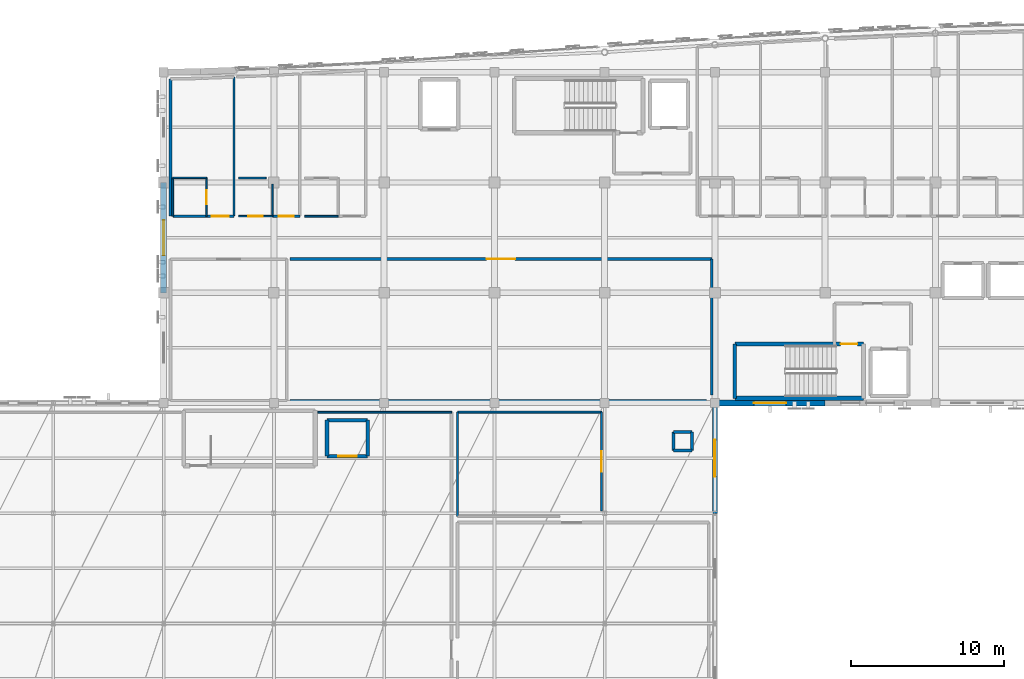
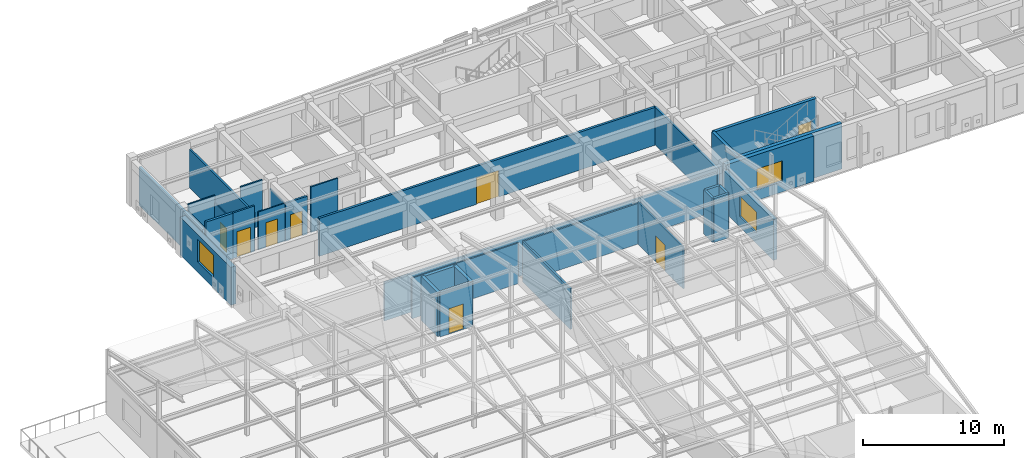
# One storey, part 90 of 113: 33 walls, 8 doors, 3 windows, 11 openings.
"""IFC4 building model written with IfcOpenShell, lengths in metres."""

from ifc_helpers import new_model, si_unit, direction, frame, frame_2d, origin, place, context, subcontext, project, spatial, rectangle, extrude, material, layer, layer_set, type_object, element, fill, save


model = new_model("IFC4")

# Units and contexts
model_context = context("Model", 3, precision=1e-05, world=origin(), true_north=direction((0.0, 1.0)))
body_context = subcontext(model_context, "Body", "Model", "MODEL_VIEW")
ifc_project = project(units=[si_unit("LENGTHUNIT", "METRE"), si_unit("AREAUNIT", "SQUARE_METRE"), si_unit("VOLUMEUNIT", "CUBIC_METRE"), si_unit("PLANEANGLEUNIT", "RADIAN"), si_unit("MASSUNIT", "GRAM", prefix="KILO")], contexts=[model_context])

# Site, building, storey
site_placement = place(None, origin())
site = spatial("IfcSite", under=ifc_project, at=site_placement, CompositionType="ELEMENT")
building_placement = place(site_placement, origin())
building = spatial("IfcBuilding", under=site, at=building_placement, Name="Carrowvane Square Congress Hotel", CompositionType="ELEMENT")
storey_placement = place(building_placement, frame((0.0, 0.0, 15.0)))
storey = spatial("IfcBuildingStorey", under=building, at=storey_placement, Name="L03", CompositionType="ELEMENT", Elevation=15.0)

# Wall, opening, window
ifc_material_1 = material(Name="Glazed terracotta rainscreen", Category="masonry")
ifc_layer_1 = layer(ifc_material_1, 0.39990234375)
ifc_layer_set_1 = layer_set([ifc_layer_1], Name="Glazed terracotta rainscreen")
wall_type_1 = type_object("IfcWallType", Name="WL-EXT-TC400", PredefinedType="STANDARD", material=ifc_layer_set_1)
wall_1_placement = place(storey_placement, frame((33.199951171875, 99.0, 0.0), z_axis=(0.0, 0.0, 1.0), x_axis=(0.0, 1.0, 0.0)))
wall_1 = element("IfcWall", 1, at=wall_1_placement, inside=storey, type_object=wall_type_1, Name="L03 exterior facade wall 352", PredefinedType="STANDARD", context=body_context, shape_type="SweptSolid", body=[
    extrude(rectangle(XDim=7.199951171875, YDim=0.39990234375, at=frame_2d((3.60009765625, 0.0))), origin(), (0.0, 0.0, 1.0), 3.27490234375),
])
opening_1_placement = place(wall_1_placement, frame((2.449951171875, 0.0, 0.89990234375)))
opening_1 = element("IfcOpeningElement", 2, at=opening_1_placement, cuts=wall_1, Name="Opening W-32", PredefinedType="OPENING", context=body_context, shape_type="SweptSolid", body=[
    extrude(rectangle(XDim=2.300048828125, YDim=1.949951171875, at=frame_2d((1.14990234375, 0.97509765625))), frame((0.0, 0.2099609375, 0.0), z_axis=(0.0, -1.0, 0.0), x_axis=(1.0, 0.0, 0.0)), (0.0, 0.0, 1.0), 0.419921875),
])
ifc_material_2 = material(Name="Double-glazed low-E glass", Category="glass")
window_type_1 = type_object("IfcWindowType", Name="WIN-32", PartitioningType="SINGLE_PANEL", PredefinedType="WINDOW", material=ifc_material_2)
window_1_placement = place(opening_1_placement, origin())
window_1 = element("IfcWindow", 3, at=window_1_placement, inside=storey, type_object=window_type_1, Name="L03 facade window 175", OverallHeight=1.949951171875, OverallWidth=2.300048828125, PartitioningType="SINGLE_PANEL", PredefinedType="WINDOW", context=body_context, shape_type="SweptSolid", body=[
    extrude(rectangle(XDim=2.300048828125, YDim=1.949951171875, at=frame_2d((1.14990234375, 0.97509765625))), frame((0.0, 0.030029296875, 0.0), z_axis=(0.0, -1.0, 0.0), x_axis=(1.0, 0.0, 0.0)), (0.0, 0.0, 1.0), 0.06005859375),
])
fill(opening_1, window_1)

wall_2_placement = place(storey_placement, frame((76.39990234375, 91.800048828125, 0.0), z_axis=(0.0, 0.0, 1.0), x_axis=(-1.0, 0.0, 0.0)))
wall_2 = element("IfcWall", 4, at=wall_2_placement, inside=storey, type_object=wall_type_1, Name="L03 exterior facade wall 398", PredefinedType="STANDARD", context=body_context, shape_type="SweptSolid", body=[
    extrude(rectangle(XDim=7.199951171875, YDim=0.39990234375, at=frame_2d((3.60009765625, 0.0))), origin(), (0.0, 0.0, 1.0), 3.93994140625),
])
opening_2_placement = place(wall_2_placement, frame((2.550048828125, 0.0, 0.89990234375)))
opening_2 = element("IfcOpeningElement", 5, at=opening_2_placement, cuts=wall_2, Name="Opening W-06", PredefinedType="OPENING", context=body_context, shape_type="SweptSolid", body=[
    extrude(rectangle(XDim=2.10009765625, YDim=1.800048828125, at=frame_2d((1.050048828125, 0.89990234375))), frame((0.0, 0.2099609375, 0.0), z_axis=(0.0, -1.0, 0.0), x_axis=(1.0, 0.0, 0.0)), (0.0, 0.0, 1.0), 0.419921875),
])
ifc_material_3 = material(Name="Double-glazed low-E glass", Category="glass")
window_type_2 = type_object("IfcWindowType", Name="WIN-06", PartitioningType="SINGLE_PANEL", PredefinedType="WINDOW", material=ifc_material_3)
window_2_placement = place(opening_2_placement, origin())
window_2 = element("IfcWindow", 6, at=window_2_placement, inside=storey, type_object=window_type_2, Name="L03 facade window 229", OverallHeight=1.800048828125, OverallWidth=2.10009765625, PartitioningType="SINGLE_PANEL", PredefinedType="WINDOW", context=body_context, shape_type="SweptSolid", body=[
    extrude(rectangle(XDim=2.10009765625, YDim=1.800048828125, at=frame_2d((1.050048828125, 0.89990234375))), frame((0.0, 0.030029296875, 0.0), z_axis=(0.0, -1.0, 0.0), x_axis=(1.0, 0.0, 0.0)), (0.0, 0.0, 1.0), 0.06005859375),
])
fill(opening_2, window_2)

ifc_material_4 = material(Name="Standing-seam zinc cladding", Category="metal")
ifc_layer_2 = layer(ifc_material_4, 0.31005859375)
ifc_layer_set_2 = layer_set([ifc_layer_2], Name="Standing-seam zinc cladding")
wall_type_2 = type_object("IfcWallType", Name="WL-EXT-ZN310", PredefinedType="STANDARD", material=ifc_layer_set_2)
wall_3_placement = place(storey_placement, frame((69.199951171875, 91.800048828125, 0.0), z_axis=(0.0, 0.0, 1.0), x_axis=(0.0, -1.0, 0.0)))
wall_3 = element("IfcWall", 7, at=wall_3_placement, inside=storey, type_object=wall_type_2, Name="L03 exterior facade wall 399", PredefinedType="STANDARD", context=body_context, shape_type="SweptSolid", body=[
    extrude(rectangle(XDim=7.199951171875, YDim=0.31005859375, at=frame_2d((3.60009765625, 0.0))), origin(), (0.0, 0.0, 1.0), 3.515625),
])
opening_3_placement = place(wall_3_placement, frame((2.39990234375, 0.0, 0.89990234375)))
opening_3 = element("IfcOpeningElement", 8, at=opening_3_placement, cuts=wall_3, Name="Opening W-07", PredefinedType="OPENING", context=body_context, shape_type="SweptSolid", body=[
    extrude(rectangle(XDim=2.39990234375, YDim=1.800048828125, at=frame_2d((1.199951171875, 0.89990234375))), frame((0.0, 0.1650390625, 0.0), z_axis=(0.0, -1.0, 0.0), x_axis=(1.0, 0.0, 0.0)), (0.0, 0.0, 1.0), 0.330078125),
])
ifc_material_5 = material(Name="Double-glazed low-E glass", Category="glass")
window_type_3 = type_object("IfcWindowType", Name="WIN-07", PartitioningType="SINGLE_PANEL", PredefinedType="WINDOW", material=ifc_material_5)
window_3_placement = place(opening_3_placement, origin())
window_3 = element("IfcWindow", 9, at=window_3_placement, inside=storey, type_object=window_type_3, Name="L03 facade window 231", OverallHeight=1.800048828125, OverallWidth=2.39990234375, PartitioningType="SINGLE_PANEL", PredefinedType="WINDOW", context=body_context, shape_type="SweptSolid", body=[
    extrude(rectangle(XDim=2.39990234375, YDim=1.800048828125, at=frame_2d((1.199951171875, 0.89990234375))), frame((0.0, 0.030029296875, 0.0), z_axis=(0.0, -1.0, 0.0), x_axis=(1.0, 0.0, 0.0)), (0.0, 0.0, 1.0), 0.06005859375),
])
fill(opening_3, window_3)

# Walls
ifc_material_6 = material(Name="Acoustic gypsum board", Category="gypsum")
ifc_layer_3 = layer(ifc_material_6, 0.155029296875)
ifc_layer_set_3 = layer_set([ifc_layer_3], Name="Acoustic gypsum board")
wall_type_3 = type_object("IfcWallType", Name="WL-FIR-155", PredefinedType="PARTITIONING", material=ifc_layer_set_3)
wall_4_placement = place(storey_placement, frame((68.639892578125, 91.9599609375, 0.0), z_axis=(0.0, 0.0, 1.0), x_axis=(-1.0, 0.0, 0.0)))
element("IfcWall", 10, at=wall_4_placement, inside=storey, type_object=wall_type_3, Name="L03 L03 West Delegate Linen and Service Room partition", PredefinedType="PARTITIONING", context=body_context, shape_type="SweptSolid", body=[
    extrude(rectangle(XDim=27.18994140625, YDim=0.155029296875, at=frame_2d((13.594970703125, 0.0))), origin(), (0.0, 0.0, 1.0), 3.324951171875),
])
ifc_material_7 = material(Name="Acoustic gypsum board", Category="gypsum")
ifc_layer_4 = layer(ifc_material_7, 0.169921875)
ifc_layer_set_4 = layer_set([ifc_layer_4], Name="Acoustic gypsum board")
wall_type_4 = type_object("IfcWallType", Name="WL-FIR-170", PredefinedType="PARTITIONING", material=ifc_layer_set_4)
wall_5_placement = place(storey_placement, frame((69.0, 101.199951171875, 0.0), z_axis=(0.0, 0.0, 1.0), x_axis=(0.0, -1.0, 0.0)))
element("IfcWall", 11, at=wall_5_placement, inside=storey, type_object=wall_type_4, Name="L03 L03 West Delegate Linen and Service Room partition", PredefinedType="PARTITIONING", context=body_context, shape_type="SweptSolid", body=[
    extrude(rectangle(XDim=8.8798828125, YDim=0.169921875, at=frame_2d((4.43994140625, 0.0))), origin(), (0.0, 0.0, 1.0), 3.27490234375),
])

# Wall, opening, door
wall_6_placement = place(storey_placement, frame((42.090087890625, 104.0, 0.0), z_axis=(0.0, 0.0, 1.0), x_axis=(-1.0, 0.0, 0.0)))
wall_6 = element("IfcWall", 12, at=wall_6_placement, inside=storey, type_object=wall_type_4, Name="L03 Parkview Guest Bedroom 0303 partition", PredefinedType="PARTITIONING", context=body_context, shape_type="SweptSolid", body=[
    extrude(rectangle(XDim=1.780029296875, YDim=0.169921875, at=frame_2d((0.89013671875, 0.0))), origin(), (0.0, 0.0, 1.0), 3.27490234375),
])
opening_4_placement = place(wall_6_placement, frame((0.39990234375, 0.0, 0.0)))
opening_4 = element("IfcOpeningElement", 13, at=opening_4_placement, cuts=wall_6, Name="Opening FD-07", PredefinedType="OPENING", context=body_context, shape_type="SweptSolid", body=[
    extrude(rectangle(XDim=0.97998046875, YDim=2.14990234375, at=frame_2d((0.489990234375, 1.074951171875))), frame((0.0, 0.094970703125, 0.0), z_axis=(0.0, -1.0, 0.0), x_axis=(1.0, 0.0, 0.0)), (0.0, 0.0, 1.0), 0.18994140625),
])
ifc_material_8 = material(Name="European oak timber", Category="wood")
door_type_1 = type_object("IfcDoorType", Name="DR-FD30-0980x2150", OperationType="NOTDEFINED", PredefinedType="DOOR", material=ifc_material_8)
door_1_placement = place(opening_4_placement, origin())
door_1 = element("IfcDoor", 14, at=door_1_placement, inside=storey, type_object=door_type_1, Name="L03 Parkview Guest Bedroom 0303 entrance door", OperationType="SINGLE_SWING_RIGHT", OverallHeight=2.14990234375, OverallWidth=0.97998046875, PredefinedType="DOOR", context=body_context, shape_type="SweptSolid", body=[
    extrude(rectangle(XDim=0.97998046875, YDim=2.14990234375, at=frame_2d((0.489990234375, 1.074951171875))), frame((0.0, 0.02490234375, 0.0), z_axis=(0.0, -1.0, 0.0), x_axis=(1.0, 0.0, 0.0)), (0.0, 0.0, 1.0), 0.050048828125),
])
fill(opening_4, door_1)

ifc_material_9 = material(Name="Acoustic gypsum board", Category="gypsum")
ifc_layer_5 = layer(ifc_material_9, 0.18505859375)
ifc_layer_set_5 = layer_set([ifc_layer_5], Name="Acoustic gypsum board")
wall_type_5 = type_object("IfcWallType", Name="WL-FIR-185", PredefinedType="PARTITIONING", material=ifc_layer_set_5)
wall_7_placement = place(storey_placement, frame((41.449951171875, 101.199951171875, 0.0), z_axis=(0.0, 0.0, 1.0), x_axis=(1.0, 0.0, 0.0)))
wall_7 = element("IfcWall", 15, at=wall_7_placement, inside=storey, type_object=wall_type_5, Name="L03 L03 West Delegate Linen and Service Room partition", PredefinedType="PARTITIONING", context=body_context, shape_type="SweptSolid", body=[
    extrude(rectangle(XDim=27.550048828125, YDim=0.18505859375, at=frame_2d((13.77490234375, 0.0))), origin(), (0.0, 0.0, 1.0), 3.27490234375),
])
opening_5_placement = place(wall_7_placement, frame((12.85009765625, 0.0, 0.0)))
opening_5 = element("IfcOpeningElement", 16, at=opening_5_placement, cuts=wall_7, Name="Opening ID-13", PredefinedType="OPENING", context=body_context, shape_type="SweptSolid", body=[
    extrude(rectangle(XDim=1.85009765625, YDim=2.300048828125, at=frame_2d((0.925048828125, 1.14990234375))), frame((0.0, 0.1025390625, 0.0), z_axis=(0.0, -1.0, 0.0), x_axis=(1.0, 0.0, 0.0)), (0.0, 0.0, 1.0), 0.205078125),
])
ifc_material_10 = material(Name="European oak timber", Category="wood")
door_type_2 = type_object("IfcDoorType", Name="DR-INT-1850x2300", OperationType="DOUBLE_DOOR_SINGLE_SWING", PredefinedType="DOOR", material=ifc_material_10)
door_2_placement = place(opening_5_placement, origin())
door_2 = element("IfcDoor", 17, at=door_2_placement, inside=storey, type_object=door_type_2, Name="L03 L03 West Delegate Linen and Service Room entrance door", OperationType="DOUBLE_DOOR_SINGLE_SWING", OverallHeight=2.300048828125, OverallWidth=1.85009765625, PredefinedType="DOOR", context=body_context, shape_type="SweptSolid", body=[
    extrude(rectangle(XDim=1.85009765625, YDim=2.300048828125, at=frame_2d((0.925048828125, 1.14990234375))), frame((0.0, 0.02490234375, 0.0), z_axis=(0.0, -1.0, 0.0), x_axis=(1.0, 0.0, 0.0)), (0.0, 0.0, 1.0), 0.050048828125),
])
fill(opening_5, door_2)

# Walls
wall_8_placement = place(storey_placement, frame((36.0, 104.0, 0.0), z_axis=(0.0, 0.0, 1.0), x_axis=(-1.0, 0.0, 0.0)))
element("IfcWall", 18, at=wall_8_placement, inside=storey, type_object=wall_type_5, Name="L03 En-suite Bathroom 0302 partition", PredefinedType="PARTITIONING", context=body_context, shape_type="SweptSolid", body=[
    extrude(rectangle(XDim=2.199951171875, YDim=0.18505859375, at=frame_2d((1.10009765625, 0.0))), origin(), (0.0, 0.0, 1.0), 3.93994140625),
])
wall_9_placement = place(storey_placement, frame((33.64990234375, 104.0, 0.0), z_axis=(0.0, 0.0, 1.0), x_axis=(0.0, 1.0, 0.0)))
element("IfcWall", 19, at=wall_9_placement, inside=storey, type_object=wall_type_5, Name="L03 Parkview Guest Bedroom 0302 partition", PredefinedType="PARTITIONING", context=body_context, shape_type="SweptSolid", body=[
    extrude(rectangle(XDim=8.959716796875, YDim=0.18505859375, at=frame_2d((4.47998046875, 0.0))), origin(), (0.0, 0.0, 1.0), 3.324951171875),
])
ifc_material_11 = material(Name="Standing-seam zinc cladding", Category="metal")
ifc_layer_6 = layer(ifc_material_11, 0.195068359375)
ifc_layer_set_6 = layer_set([ifc_layer_6], Name="Standing-seam zinc cladding")
wall_type_6 = type_object("IfcWallType", Name="WL-PAR-195", PredefinedType="PARAPET", material=ifc_layer_set_6)
for number, where, z_axis, x_axis, name in (
    (20, (66.5, 88.699951171875, 0.0), (0.0, 0.0, 1.0), (1.0, 0.0, 0.0), "L03 service riser RSR-V4 enclosure S"),
    (21, (67.699951171875, 88.699951171875, 0.0), (0.0, 0.0, 1.0), (0.0, 1.0, 0.0), "L03 service riser RSR-V4 enclosure E"),
    (22, (67.699951171875, 89.89990234375, 0.0), (0.0, 0.0, 1.0), (-1.0, 0.0, 0.0), "L03 service riser RSR-V4 enclosure N"),
    (23, (66.5, 89.89990234375, 0.0), (0.0, 0.0, 1.0), (0.0, -1.0, 0.0), "L03 service riser RSR-V4 enclosure W"),
):
    element("IfcWall", number, at=place(storey_placement, frame(where, z_axis=z_axis, x_axis=x_axis)), inside=storey, type_object=wall_type_6, Name=name, PredefinedType="PARAPET", context=body_context, shape_type="SweptSolid", body=[
        extrude(rectangle(XDim=1.199951171875, YDim=0.195068359375, at=frame_2d((0.60009765625, 0.0))), origin(), (0.0, 0.0, 1.0), 3.800048828125),
    ])

# Wall, opening, door
ifc_material_12 = material(Name="Acoustic gypsum board", Category="gypsum")
ifc_layer_7 = layer(ifc_material_12, 0.097900390625)
ifc_layer_set_7 = layer_set([ifc_layer_7], Name="Acoustic gypsum board")
wall_type_7 = type_object("IfcWallType", Name="WL-PRT-098", PredefinedType="PARTITIONING", material=ifc_layer_set_7)
wall_10_placement = place(storey_placement, frame((36.0, 106.5, 0.0), z_axis=(0.0, 0.0, 1.0), x_axis=(0.0, -1.0, 0.0)))
wall_10 = element("IfcWall", 24, at=wall_10_placement, inside=storey, type_object=wall_type_7, Name="L03 En-suite Bathroom 0302 partition", PredefinedType="PARTITIONING", context=body_context, shape_type="SweptSolid", body=[
    extrude(rectangle(XDim=2.5, YDim=0.097900390625, at=frame_2d((1.25, 0.0))), origin(), (0.0, 0.0, 1.0), 3.324951171875),
])
opening_6_placement = place(wall_10_placement, frame((0.7900390625, 0.0, 0.0)))
opening_6 = element("IfcOpeningElement", 25, at=opening_6_placement, cuts=wall_10, Name="Opening ID-03", PredefinedType="OPENING", context=body_context, shape_type="SweptSolid", body=[
    extrude(rectangle(XDim=0.919921875, YDim=2.10009765625, at=frame_2d((0.4599609375, 1.050048828125))), frame((0.0, 0.058837890625, 0.0), z_axis=(0.0, -1.0, 0.0), x_axis=(1.0, 0.0, 0.0)), (0.0, 0.0, 1.0), 0.117919921875),
])
ifc_material_13 = material(Name="European oak timber", Category="wood")
door_type_3 = type_object("IfcDoorType", Name="DR-INT-0920x2100", OperationType="NOTDEFINED", PredefinedType="DOOR", material=ifc_material_13)
door_3_placement = place(opening_6_placement, origin())
door_3 = element("IfcDoor", 26, at=door_3_placement, inside=storey, type_object=door_type_3, Name="L03 En-suite Bathroom 0302 door", OperationType="SINGLE_SWING_LEFT", OverallHeight=2.10009765625, OverallWidth=0.919921875, PredefinedType="DOOR", context=body_context, shape_type="SweptSolid", body=[
    extrude(rectangle(XDim=0.919921875, YDim=2.10009765625, at=frame_2d((0.4599609375, 1.050048828125))), frame((0.0, 0.02490234375, 0.0), z_axis=(0.0, -1.0, 0.0), x_axis=(1.0, 0.0, 0.0)), (0.0, 0.0, 1.0), 0.050048828125),
])
fill(opening_6, door_3)

wall_11_placement = place(storey_placement, frame((40.300048828125, 104.0, 0.0), z_axis=(0.0, 0.0, 1.0), x_axis=(-1.0, 0.0, 0.0)))
wall_11 = element("IfcWall", 27, at=wall_11_placement, inside=storey, type_object=wall_type_7, Name="L03 En-suite Bathroom 0303 partition", PredefinedType="PARTITIONING", context=body_context, shape_type="SweptSolid", body=[
    extrude(rectangle(XDim=2.199951171875, YDim=0.097900390625, at=frame_2d((1.10009765625, 0.0))), origin(), (0.0, 0.0, 1.0), 3.27490234375),
])
opening_7_placement = place(wall_11_placement, frame((0.6201171875, 0.0, 0.0)))
opening_7 = element("IfcOpeningElement", 28, at=opening_7_placement, cuts=wall_11, Name="Opening ID-05", PredefinedType="OPENING", context=body_context, shape_type="SweptSolid", body=[
    extrude(rectangle(XDim=0.9599609375, YDim=2.139892578125, at=frame_2d((0.47998046875, 1.06982421875))), frame((0.0, 0.058837890625, 0.0), z_axis=(0.0, -1.0, 0.0), x_axis=(1.0, 0.0, 0.0)), (0.0, 0.0, 1.0), 0.117919921875),
])
ifc_material_14 = material(Name="European oak timber", Category="wood")
door_type_4 = type_object("IfcDoorType", Name="DR-INT-0960x2140", OperationType="NOTDEFINED", PredefinedType="DOOR", material=ifc_material_14)
door_4_placement = place(opening_7_placement, origin())
door_4 = element("IfcDoor", 29, at=door_4_placement, inside=storey, type_object=door_type_4, Name="L03 En-suite Bathroom 0303 door", OperationType="SINGLE_SWING_LEFT", OverallHeight=2.139892578125, OverallWidth=0.9599609375, PredefinedType="DOOR", context=body_context, shape_type="SweptSolid", body=[
    extrude(rectangle(XDim=0.9599609375, YDim=2.139892578125, at=frame_2d((0.47998046875, 1.06982421875))), frame((0.0, 0.02490234375, 0.0), z_axis=(0.0, -1.0, 0.0), x_axis=(1.0, 0.0, 0.0)), (0.0, 0.0, 1.0), 0.050048828125),
])
fill(opening_7, door_4)

# Walls
ifc_material_15 = material(Name="Acoustic gypsum board", Category="gypsum")
ifc_layer_8 = layer(ifc_material_15, 0.10791015625)
ifc_layer_set_8 = layer_set([ifc_layer_8], Name="Acoustic gypsum board")
wall_type_8 = type_object("IfcWallType", Name="WL-PRT-108", PredefinedType="PARTITIONING", material=ifc_layer_set_8)
wall_12_placement = place(storey_placement, frame((33.800048828125, 106.5, 0.0), z_axis=(0.0, 0.0, 1.0), x_axis=(1.0, 0.0, 0.0)))
element("IfcWall", 30, at=wall_12_placement, inside=storey, type_object=wall_type_8, Name="L03 En-suite Bathroom 0302 partition", PredefinedType="PARTITIONING", context=body_context, shape_type="SweptSolid", body=[
    extrude(rectangle(XDim=2.199951171875, YDim=0.10791015625, at=frame_2d((1.10009765625, 0.0))), origin(), (0.0, 0.0, 1.0), 3.93994140625),
])
wall_13_placement = place(storey_placement, frame((40.300048828125, 106.090087890625, 0.0), z_axis=(0.0, 0.0, 1.0), x_axis=(0.0, -1.0, 0.0)))
element("IfcWall", 31, at=wall_13_placement, inside=storey, type_object=wall_type_8, Name="L03 En-suite Bathroom 0303 partition", PredefinedType="PARTITIONING", context=body_context, shape_type="SweptSolid", body=[
    extrude(rectangle(XDim=2.090087890625, YDim=0.10791015625, at=frame_2d((1.044921875, 0.0))), origin(), (0.0, 0.0, 1.0), 3.27490234375),
])
wall_14_placement = place(storey_placement, frame((43.27001953125, 91.199951171875, 0.0), z_axis=(0.0, 0.0, 1.0), x_axis=(1.0, 0.0, 0.0)))
element("IfcWall", 32, at=wall_14_placement, inside=storey, type_object=wall_type_8, Name="L03 Botanical Thermal Conservatory Lounge partition", PredefinedType="PARTITIONING", context=body_context, shape_type="SweptSolid", body=[
    extrude(rectangle(XDim=8.72998046875, YDim=0.10791015625, at=frame_2d((4.364990234375, 0.0))), origin(), (0.0, 0.0, 1.0), 3.515625),
])
ifc_material_16 = material(Name="Acoustic gypsum board", Category="gypsum")
ifc_layer_9 = layer(ifc_material_16, 0.117919921875)
ifc_layer_set_9 = layer_set([ifc_layer_9], Name="Acoustic gypsum board")
wall_type_9 = type_object("IfcWallType", Name="WL-PRT-118", PredefinedType="PARTITIONING", material=ifc_layer_set_9)
wall_15_placement = place(storey_placement, frame((33.800048828125, 104.0, 0.0), z_axis=(0.0, 0.0, 1.0), x_axis=(0.0, 1.0, 0.0)))
element("IfcWall", 33, at=wall_15_placement, inside=storey, type_object=wall_type_9, Name="L03 En-suite Bathroom 0302 partition", PredefinedType="PARTITIONING", context=body_context, shape_type="SweptSolid", body=[
    extrude(rectangle(XDim=2.5, YDim=0.117919921875, at=frame_2d((1.25, 0.0))), origin(), (0.0, 0.0, 1.0), 3.324951171875),
])
wall_16_placement = place(storey_placement, frame((38.10009765625, 106.5, 0.0), z_axis=(0.0, 0.0, 1.0), x_axis=(1.0, 0.0, 0.0)))
element("IfcWall", 34, at=wall_16_placement, inside=storey, type_object=wall_type_9, Name="L03 En-suite Bathroom 0303 partition", PredefinedType="PARTITIONING", context=body_context, shape_type="SweptSolid", body=[
    extrude(rectangle(XDim=1.789794921875, YDim=0.117919921875, at=frame_2d((0.89501953125, 0.0))), origin(), (0.0, 0.0, 1.0), 3.93994140625),
])
wall_17_placement = place(storey_placement, frame((44.60009765625, 104.0, 0.0), z_axis=(0.0, 0.0, 1.0), x_axis=(-1.0, 0.0, 0.0)))
element("IfcWall", 35, at=wall_17_placement, inside=storey, type_object=wall_type_9, Name="L03 En-suite Bathroom 0304 partition", PredefinedType="PARTITIONING", context=body_context, shape_type="SweptSolid", body=[
    extrude(rectangle(XDim=2.2001953125, YDim=0.117919921875, at=frame_2d((1.10009765625, 0.0))), origin(), (0.0, 0.0, 1.0), 3.93994140625),
])

# Wall, opening, door
wall_18_placement = place(storey_placement, frame((61.800048828125, 91.199951171875, 0.0), z_axis=(0.0, 0.0, 1.0), x_axis=(0.0, -1.0, 0.0)))
wall_18 = element("IfcWall", 36, at=wall_18_placement, inside=storey, type_object=wall_type_9, Name="L03 Conservatory Accessible WC partition", PredefinedType="PARTITIONING", context=body_context, shape_type="SweptSolid", body=[
    extrude(rectangle(XDim=6.43994140625, YDim=0.117919921875, at=frame_2d((3.219970703125, 0.0))), origin(), (0.0, 0.0, 1.0), 3.618408203125),
])
opening_8_placement = place(wall_18_placement, frame((2.5400390625, 0.0, 0.0)))
opening_8 = element("IfcOpeningElement", 37, at=opening_8_placement, cuts=wall_18, Name="Opening ID-25", PredefinedType="OPENING", context=body_context, shape_type="SweptSolid", body=[
    extrude(rectangle(XDim=1.360107421875, YDim=2.219970703125, at=frame_2d((0.68017578125, 1.10986328125))), frame((0.0, 0.06884765625, 0.0), z_axis=(0.0, -1.0, 0.0), x_axis=(1.0, 0.0, 0.0)), (0.0, 0.0, 1.0), 0.137939453125),
])
ifc_material_17 = material(Name="European oak timber", Category="wood")
door_type_5 = type_object("IfcDoorType", Name="DR-INT-1360x2220", OperationType="DOUBLE_DOOR_SINGLE_SWING", PredefinedType="DOOR", material=ifc_material_17)
door_5_placement = place(opening_8_placement, origin())
door_5 = element("IfcDoor", 38, at=door_5_placement, inside=storey, type_object=door_type_5, Name="L03 Conservatory Accessible WC entrance door", OperationType="DOUBLE_DOOR_SINGLE_SWING", OverallHeight=2.219970703125, OverallWidth=1.360107421875, PredefinedType="DOOR", context=body_context, shape_type="SweptSolid", body=[
    extrude(rectangle(XDim=1.360107421875, YDim=2.219970703125, at=frame_2d((0.68017578125, 1.10986328125))), frame((0.0, 0.02490234375, 0.0), z_axis=(0.0, -1.0, 0.0), x_axis=(1.0, 0.0, 0.0)), (0.0, 0.0, 1.0), 0.050048828125),
])
fill(opening_8, door_5)

# Wall
ifc_material_18 = material(Name="Acoustic gypsum board", Category="gypsum")
ifc_layer_10 = layer(ifc_material_18, 0.1279296875)
ifc_layer_set_10 = layer_set([ifc_layer_10], Name="Acoustic gypsum board")
wall_type_10 = type_object("IfcWallType", Name="WL-PRT-128", PredefinedType="PARTITIONING", material=ifc_layer_set_10)
wall_19_placement = place(storey_placement, frame((52.39990234375, 91.199951171875, 0.0), z_axis=(0.0, 0.0, 1.0), x_axis=(1.0, 0.0, 0.0)))
element("IfcWall", 39, at=wall_19_placement, inside=storey, type_object=wall_type_10, Name="L03 Conservatory Accessible WC partition", PredefinedType="PARTITIONING", context=body_context, shape_type="SweptSolid", body=[
    extrude(rectangle(XDim=9.400146484375, YDim=0.1279296875, at=frame_2d((4.7001953125, 0.0))), origin(), (0.0, 0.0, 1.0), 3.515625),
])

# Wall, opening, door
ifc_material_19 = material(Name="Acoustic gypsum board", Category="gypsum")
ifc_layer_11 = layer(ifc_material_19, 0.137939453125)
ifc_layer_set_11 = layer_set([ifc_layer_11], Name="Acoustic gypsum board")
wall_type_11 = type_object("IfcWallType", Name="WL-PRT-138", PredefinedType="PARTITIONING", material=ifc_layer_set_11)
wall_20_placement = place(storey_placement, frame((37.7900390625, 104.0, 0.0), z_axis=(0.0, 0.0, 1.0), x_axis=(-1.0, 0.0, 0.0)))
wall_20 = element("IfcWall", 40, at=wall_20_placement, inside=storey, type_object=wall_type_11, Name="L03 Parkview Guest Bedroom 0302 partition", PredefinedType="PARTITIONING", context=body_context, shape_type="SweptSolid", body=[
    extrude(rectangle(XDim=1.780029296875, YDim=0.137939453125, at=frame_2d((0.89013671875, 0.0))), origin(), (0.0, 0.0, 1.0), 3.93994140625),
])
opening_9_placement = place(wall_20_placement, frame((0.330078125, 0.0, 0.0)))
opening_9 = element("IfcOpeningElement", 41, at=opening_9_placement, cuts=wall_20, Name="Opening FD-10", PredefinedType="OPENING", context=body_context, shape_type="SweptSolid", body=[
    extrude(rectangle(XDim=1.1201171875, YDim=2.199951171875, at=frame_2d((0.56005859375, 1.10009765625))), frame((0.0, 0.078857421875, 0.0), z_axis=(0.0, -1.0, 0.0), x_axis=(1.0, 0.0, 0.0)), (0.0, 0.0, 1.0), 0.157958984375),
])
ifc_material_20 = material(Name="European oak timber", Category="wood")
door_type_6 = type_object("IfcDoorType", Name="DR-FD30-1120x2200", OperationType="NOTDEFINED", PredefinedType="DOOR", material=ifc_material_20)
door_6_placement = place(opening_9_placement, origin())
door_6 = element("IfcDoor", 42, at=door_6_placement, inside=storey, type_object=door_type_6, Name="L03 Parkview Guest Bedroom 0302 entrance door", OperationType="SINGLE_SWING_RIGHT", OverallHeight=2.199951171875, OverallWidth=1.1201171875, PredefinedType="DOOR", context=body_context, shape_type="SweptSolid", body=[
    extrude(rectangle(XDim=1.1201171875, YDim=2.199951171875, at=frame_2d((0.56005859375, 1.10009765625))), frame((0.0, 0.02490234375, 0.0), z_axis=(0.0, -1.0, 0.0), x_axis=(1.0, 0.0, 0.0)), (0.0, 0.0, 1.0), 0.050048828125),
])
fill(opening_9, door_6)

# Walls
wall_21_placement = place(storey_placement, frame((52.39990234375, 84.39990234375, 0.0), z_axis=(0.0, 0.0, 1.0), x_axis=(0.0, 1.0, 0.0)))
element("IfcWall", 43, at=wall_21_placement, inside=storey, type_object=wall_type_11, Name="L03 Conservatory Accessible WC partition", PredefinedType="PARTITIONING", context=body_context, shape_type="SweptSolid", body=[
    extrude(rectangle(XDim=6.800048828125, YDim=0.137939453125, at=frame_2d((3.39990234375, 0.0))), origin(), (0.0, 0.0, 1.0), 3.515625),
])
ifc_material_21 = material(Name="Acoustic gypsum board", Category="gypsum")
ifc_layer_12 = layer(ifc_material_21, 0.14794921875)
ifc_layer_set_12 = layer_set([ifc_layer_12], Name="Acoustic gypsum board")
wall_type_12 = type_object("IfcWallType", Name="WL-PRT-148", PredefinedType="PARTITIONING", material=ifc_layer_set_12)
wall_22_placement = place(storey_placement, frame((37.7900390625, 113.083251953125, 0.0), z_axis=(0.0, 0.0, 1.0), x_axis=(0.0, -1.0, 0.0)))
element("IfcWall", 44, at=wall_22_placement, inside=storey, type_object=wall_type_12, Name="L03 Parkview Guest Bedroom 0302 partition", PredefinedType="PARTITIONING", context=body_context, shape_type="SweptSolid", body=[
    extrude(rectangle(XDim=9.083251953125, YDim=0.14794921875, at=frame_2d((4.54150390625, 0.0))), origin(), (0.0, 0.0, 1.0), 3.324951171875),
])
ifc_material_22 = material(Name="Concrete C40/50", Category="concrete")
ifc_layer_13 = layer(ifc_material_22, 0.22509765625)
ifc_layer_set_13 = layer_set([ifc_layer_13], Name="Concrete C40/50")
wall_type_13 = type_object("IfcWallType", Name="WL-SHR-225", PredefinedType="SHEAR", material=ifc_layer_set_13)
wall_23_placement = place(storey_placement, frame((70.5, 95.659912109375, 0.0), z_axis=(0.0, 0.0, 1.0), x_axis=(0.0, -1.0, 0.0)))
element("IfcWall", 45, at=wall_23_placement, inside=storey, type_object=wall_type_13, Name="L03 ST2 core wall west", PredefinedType="SHEAR", context=body_context, shape_type="SweptSolid", body=[
    extrude(rectangle(XDim=3.559814453125, YDim=0.22509765625, at=frame_2d((1.77978515625, 0.0))), origin(), (0.0, 0.0, 1.0), 3.93994140625),
])

# Wall, opening, door
ifc_material_23 = material(Name="Concrete C40/50", Category="concrete")
ifc_layer_14 = layer(ifc_material_23, 0.25)
ifc_layer_set_14 = layer_set([ifc_layer_14], Name="Concrete C40/50")
wall_type_14 = type_object("IfcWallType", Name="WL-SHR-250", PredefinedType="SHEAR", material=ifc_layer_set_14)
wall_24_placement = place(storey_placement, frame((78.89990234375, 95.659912109375, 0.0), z_axis=(0.0, 0.0, 1.0), x_axis=(-1.0, 0.0, 0.0)))
wall_24 = element("IfcWall", 46, at=wall_24_placement, inside=storey, type_object=wall_type_14, Name="L03 ST2 core wall north", PredefinedType="SHEAR", context=body_context, shape_type="SweptSolid", body=[
    extrude(rectangle(XDim=8.39990234375, YDim=0.25, at=frame_2d((4.199951171875, 0.0))), origin(), (0.0, 0.0, 1.0), 3.93994140625),
])
opening_10_placement = place(wall_24_placement, frame((0.389892578125, 0.0, 0.0)))
opening_10 = element("IfcOpeningElement", 47, at=opening_10_placement, cuts=wall_24, Name="Opening FD-01", PredefinedType="OPENING", context=body_context, shape_type="SweptSolid", body=[
    extrude(rectangle(XDim=1.10009765625, YDim=2.10009765625, at=frame_2d((0.550048828125, 1.050048828125))), frame((0.0, 0.135009765625, 0.0), z_axis=(0.0, -1.0, 0.0), x_axis=(1.0, 0.0, 0.0)), (0.0, 0.0, 1.0), 0.27001953125),
])
ifc_material_24 = material(Name="European oak timber", Category="wood")
door_type_7 = type_object("IfcDoorType", Name="DR-FD60-1100x2100", OperationType="NOTDEFINED", PredefinedType="DOOR", material=ifc_material_24)
door_7_placement = place(opening_10_placement, origin())
door_7 = element("IfcDoor", 48, at=door_7_placement, inside=storey, type_object=door_type_7, Name="L03 ST2 fire door", OperationType="SINGLE_SWING_RIGHT", OverallHeight=2.10009765625, OverallWidth=1.10009765625, PredefinedType="DOOR", context=body_context, shape_type="SweptSolid", body=[
    extrude(rectangle(XDim=1.10009765625, YDim=2.10009765625, at=frame_2d((0.550048828125, 1.050048828125))), frame((0.0, 0.02490234375, 0.0), z_axis=(0.0, -1.0, 0.0), x_axis=(1.0, 0.0, 0.0)), (0.0, 0.0, 1.0), 0.050048828125),
])
fill(opening_10, door_7)

wall_25_placement = place(storey_placement, frame((43.875, 88.324951171875, 0.0), z_axis=(0.0, 0.0, 1.0), x_axis=(1.0, 0.0, 0.0)))
wall_25 = element("IfcWall", 49, at=wall_25_placement, inside=storey, type_object=wall_type_14, Name="L03 CL-2 shaft wall south", PredefinedType="SHEAR", context=body_context, shape_type="SweptSolid", body=[
    extrude(rectangle(XDim=2.64990234375, YDim=0.25, at=frame_2d((1.324951171875, 0.0))), origin(), (0.0, 0.0, 1.0), 3.800048828125),
])
opening_11_placement = place(wall_25_placement, frame((0.72509765625, 0.0, 0.0)))
opening_11 = element("IfcOpeningElement", 50, at=opening_11_placement, cuts=wall_25, Name="Opening LD-CL-2", PredefinedType="OPENING", context=body_context, shape_type="SweptSolid", body=[
    extrude(rectangle(XDim=1.199951171875, YDim=2.199951171875, at=frame_2d((0.60009765625, 1.10009765625))), frame((0.0, 0.135009765625, 0.0), z_axis=(0.0, -1.0, 0.0), x_axis=(1.0, 0.0, 0.0)), (0.0, 0.0, 1.0), 0.27001953125),
])
ifc_material_25 = material(Name="Stainless steel 316", Category="steel")
door_type_8 = type_object("IfcDoorType", Name="DR-LD-1200x2200", OperationType="DOUBLE_DOOR_SLIDING", PredefinedType="DOOR", material=ifc_material_25)
door_8_placement = place(opening_11_placement, origin())
door_8 = element("IfcDoor", 51, at=door_8_placement, inside=storey, type_object=door_type_8, Name="L03 CL-2 sliding lift landing door", OperationType="DOUBLE_DOOR_SLIDING", OverallHeight=2.199951171875, OverallWidth=1.199951171875, PredefinedType="DOOR", context=body_context, shape_type="SweptSolid", body=[
    extrude(rectangle(XDim=1.199951171875, YDim=2.199951171875, at=frame_2d((0.60009765625, 1.10009765625))), frame((0.0, 0.02490234375, 0.0), z_axis=(0.0, -1.0, 0.0), x_axis=(1.0, 0.0, 0.0)), (0.0, 0.0, 1.0), 0.050048828125),
])
fill(opening_11, door_8)

# Walls
wall_26_placement = place(storey_placement, frame((46.52490234375, 88.324951171875, 0.0), z_axis=(0.0, 0.0, 1.0), x_axis=(0.0, 1.0, 0.0)))
element("IfcWall", 52, at=wall_26_placement, inside=storey, type_object=wall_type_14, Name="L03 CL-2 shaft wall east", PredefinedType="SHEAR", context=body_context, shape_type="SweptSolid", body=[
    extrude(rectangle(XDim=2.35009765625, YDim=0.25, at=frame_2d((1.175048828125, 0.0))), origin(), (0.0, 0.0, 1.0), 3.800048828125),
])
wall_27_placement = place(storey_placement, frame((46.52490234375, 90.675048828125, 0.0), z_axis=(0.0, 0.0, 1.0), x_axis=(-1.0, 0.0, 0.0)))
element("IfcWall", 53, at=wall_27_placement, inside=storey, type_object=wall_type_14, Name="L03 CL-2 shaft wall north", PredefinedType="SHEAR", context=body_context, shape_type="SweptSolid", body=[
    extrude(rectangle(XDim=2.64990234375, YDim=0.25, at=frame_2d((1.324951171875, 0.0))), origin(), (0.0, 0.0, 1.0), 3.800048828125),
])
wall_28_placement = place(storey_placement, frame((43.875, 90.675048828125, 0.0), z_axis=(0.0, 0.0, 1.0), x_axis=(0.0, -1.0, 0.0)))
element("IfcWall", 54, at=wall_28_placement, inside=storey, type_object=wall_type_14, Name="L03 CL-2 shaft wall west", PredefinedType="SHEAR", context=body_context, shape_type="SweptSolid", body=[
    extrude(rectangle(XDim=2.35009765625, YDim=0.25, at=frame_2d((1.175048828125, 0.0))), origin(), (0.0, 0.0, 1.0), 3.800048828125),
])
ifc_material_26 = material(Name="Concrete C40/50", Category="concrete")
ifc_layer_15 = layer(ifc_material_26, 0.300048828125)
ifc_layer_set_15 = layer_set([ifc_layer_15], Name="Concrete C40/50")
wall_type_15 = type_object("IfcWallType", Name="WL-SHR-300", PredefinedType="SHEAR", material=ifc_layer_set_15)
wall_29_placement = place(storey_placement, frame((70.5, 92.10009765625, 0.0), z_axis=(0.0, 0.0, 1.0), x_axis=(1.0, 0.0, 0.0)))
element("IfcWall", 55, at=wall_29_placement, inside=storey, type_object=wall_type_15, Name="L03 ST2 core wall south", PredefinedType="SHEAR", context=body_context, shape_type="SweptSolid", body=[
    extrude(rectangle(XDim=8.39990234375, YDim=0.300048828125, at=frame_2d((4.199951171875, 0.0))), origin(), (0.0, 0.0, 1.0), 3.93994140625),
])

save(model, "model.ifc")
